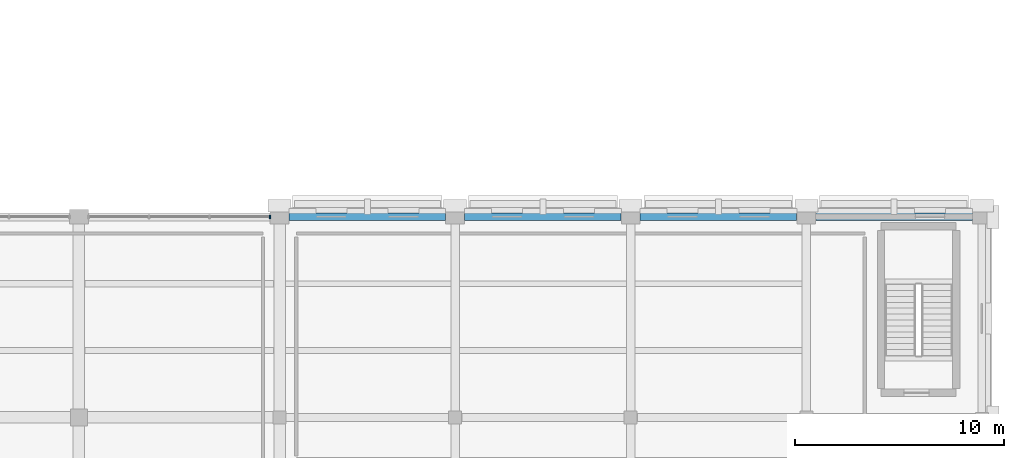
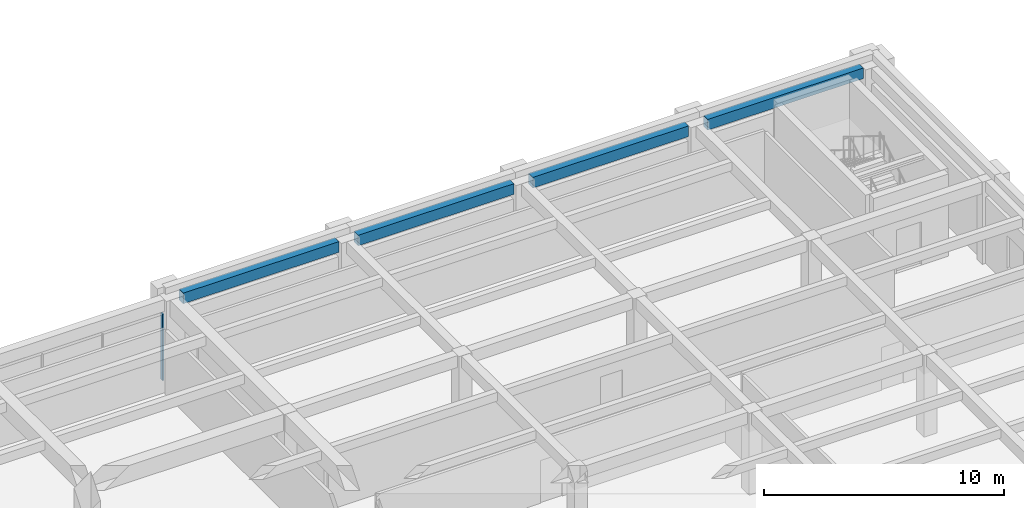
# One storey, part 23 of 49: 4 beams, 1 member, 1 element without a shape of its own.
"""IFC4 building model written with IfcOpenShell, lengths in metres."""

import ifcopenshell
import ifcopenshell.guid

model = None  # the IFC model being written
_history = None  # IfcOwnerHistory: only IFC2X3 demands one
_inside = {}  # id of a spatial element -> (the spatial element, [elements in it])
_under = {}  # id of a project, library or spatial element -> (it, [spatial elements below it])
_declared = {}  # id of a project -> (the project, [libraries it declares])
_typed = {}  # id of a type object -> (the type object, [elements of that type])
_made_of = {}  # id of a material, layer set ... -> (it, [elements and type objects made of it])


def new_model(schema):
    """Start an empty IFC model of exactly this schema.

    Asked for "IFC4X3", IfcOpenShell would pick the latest addendum, in which some entities
    have other attributes; the version numbers below select the first issue.
    IFC2X3 requires an IfcOwnerHistory on every rooted entity: one is made here for all.
    """
    global model, _history
    if schema == "IFC4X3":
        model = ifcopenshell.file(schema_version=(4, 3, 0, 0))
    else:
        model = ifcopenshell.file(schema=schema)
    _inside.clear()
    _under.clear()
    _declared.clear()
    _typed.clear()
    _made_of.clear()
    _history = None
    if model.schema == "IFC2X3":
        org = make("IfcOrganization", Name="unknown")
        user = make(
            "IfcPersonAndOrganization",
            ThePerson=make("IfcPerson", FamilyName="unknown"),
            TheOrganization=org,
        )
        app = make(
            "IfcApplication",
            ApplicationDeveloper=org,
            Version="unknown",
            ApplicationFullName="unknown",
            ApplicationIdentifier="unknown",
        )
        _history = make(
            "IfcOwnerHistory",
            OwningUser=user,
            OwningApplication=app,
            ChangeAction="ADDED",
            CreationDate=0,
        )
    return model


def make(cls, **values):
    """One entity of the class cls with the attributes given. An attribute that is None is left unset."""
    return model.create_entity(
        cls, **{name: value for name, value in values.items() if value is not None}
    )


def rooted(cls, **values):
    """An entity with a GlobalId (a new one), such as an element, a storey or a relation."""
    return make(cls, GlobalId=ifcopenshell.guid.new(), OwnerHistory=_history, **values)


def si_unit(unit_type, name, prefix=None):
    """IfcSIUnit, for example si_unit("LENGTHUNIT", "METRE", prefix="MILLI")."""
    return make("IfcSIUnit", UnitType=unit_type, Prefix=prefix, Name=name)


def assignment(units):
    """IfcUnitAssignment: the units of a project."""
    return None if units is None else make("IfcUnitAssignment", Units=units)


def point(xyz):
    """IfcCartesianPoint."""
    return None if xyz is None else make("IfcCartesianPoint", Coordinates=xyz)


def direction(xyz):
    """IfcDirection."""
    return None if xyz is None else make("IfcDirection", DirectionRatios=xyz)


def frame(location, z_axis=None, x_axis=None):
    """IfcAxis2Placement3D, a coordinate frame: its origin and axes. An axis left out is left unset."""
    return make(
        "IfcAxis2Placement3D",
        Location=point(location),
        Axis=direction(z_axis),
        RefDirection=direction(x_axis),
    )


def frame_2d(location, x_axis=None):
    """IfcAxis2Placement2D, a coordinate frame in the plane: its origin and x axis."""
    return make(
        "IfcAxis2Placement2D", Location=point(location), RefDirection=direction(x_axis)
    )


def origin():
    """The frame at (0, 0, 0) with its axes left unset."""
    return frame((0.0, 0.0, 0.0))


def origin_2d():
    """The frame at (0, 0) in the plane with its x axis left unset."""
    return frame_2d((0.0, 0.0))


def place(relative_to, where):
    """IfcLocalPlacement: puts the frame where relative to a parent placement (None: the world)."""
    return make(
        "IfcLocalPlacement", PlacementRelTo=relative_to, RelativePlacement=where
    )


def context(
    kind, dimensions, precision=None, world=None, true_north=None, identifier=None
):
    """IfcGeometricRepresentationContext, for example the 3D "Model" context."""
    return make(
        "IfcGeometricRepresentationContext",
        ContextIdentifier=identifier,
        ContextType=kind,
        CoordinateSpaceDimension=dimensions,
        Precision=precision,
        WorldCoordinateSystem=world,
        TrueNorth=true_north,
    )


def subcontext(parent, identifier, kind, view, scale=None):
    """IfcGeometricRepresentationSubContext, for example "Body" below "Model"."""
    return make(
        "IfcGeometricRepresentationSubContext",
        ContextIdentifier=identifier,
        ContextType=kind,
        ParentContext=parent,
        TargetScale=scale,
        TargetView=view,
    )


def project(units=None, contexts=None):
    """IfcProject with its units and contexts."""
    return rooted(
        "IfcProject",
        Name="project",
        RepresentationContexts=contexts,
        UnitsInContext=assignment(units),
    )


def spatial(cls, under=None, at=None, **own):
    """A site, building, storey or space (cls), placed at a placement, below another one or the project."""
    s = rooted(cls, ObjectPlacement=at, **own)
    if under is not None:
        _under.setdefault(under.id(), (under, []))[1].append(s)
    return s


def profile(cls, at=None, kind="AREA", **sizes):
    """A parametric profile (cls). Its sizes go by their IFC names, for example OverallWidth=200.0."""
    return make(cls, ProfileType=kind, Position=at, **sizes)


def rectangle(**sizes):
    """IfcRectangleProfileDef."""
    return profile("IfcRectangleProfileDef", **sizes)


def extrude(swept, where, along, depth):
    """IfcExtrudedAreaSolid: the profile swept, set in the frame where, extruded along a direction by depth."""
    return make(
        "IfcExtrudedAreaSolid",
        SweptArea=swept,
        Position=where,
        ExtrudedDirection=direction(along),
        Depth=depth,
    )


def shape(context_of_items, identifier, shape_type, items):
    """IfcShapeRepresentation: the items that make up one representation, for example the "Body"."""
    return make(
        "IfcShapeRepresentation",
        ContextOfItems=context_of_items,
        RepresentationIdentifier=identifier,
        RepresentationType=shape_type,
        Items=items,
    )


def material(Name=None, Category=None):
    """IfcMaterial."""
    return make("IfcMaterial", Name=Name, Category=Category)


def layer(
    of_material, thickness, ventilated=None, Name=None, Category=None, Priority=None
):
    """IfcMaterialLayer: one layer of a wall or slab, of a material (None: an air gap)."""
    return make(
        "IfcMaterialLayer",
        Material=of_material,
        LayerThickness=thickness,
        IsVentilated=ventilated,
        Name=Name,
        Category=Category,
        Priority=Priority,
    )


def layer_set(layers, Name=None):
    """IfcMaterialLayerSet."""
    return make("IfcMaterialLayerSet", MaterialLayers=layers, LayerSetName=Name)


def material_profile(
    of_material, cross_section, Name=None, Category=None, Priority=None
):
    """IfcMaterialProfile: a cross section and its material."""
    return make(
        "IfcMaterialProfile",
        Name=Name,
        Material=of_material,
        Profile=cross_section,
        Priority=Priority,
        Category=Category,
    )


def profile_set(profiles, Name=None, composite=None):
    """IfcMaterialProfileSet."""
    return make(
        "IfcMaterialProfileSet",
        Name=Name,
        MaterialProfiles=profiles,
        CompositeProfile=composite,
    )


def made_of(thing, what):
    """Note that an element or type object is made of a material, layer set ...; save() writes the relation."""
    if what is not None:
        _made_of.setdefault(what.id(), (what, []))[1].append(thing)
    return thing


def type_object(cls, material=None, **own):
    """A type object (cls), such as IfcWallType, which elements share."""
    return made_of(rooted(cls, **own), material)


def element(
    cls,
    number,
    at=None,
    inside=None,
    cuts=None,
    type_object=None,
    material=None,
    context=None,
    identifier="Body",
    shape_type=None,
    held_by="IfcProductDefinitionShape",
    body=None,
    shapes=None,
    **own,
):
    """One element of the class cls, such as IfcWall. Its Tag is "e" and its number.

    at: its placement. inside: the storey or other place that contains it. cuts: it is an
    opening in that element (IfcRelVoidsElement). A single representation is given by context,
    identifier, shape_type and body (its items); several are given by shapes. held_by: the class
    of the entity that holds the representations. save() writes the other relations.
    """
    e = rooted(cls, Tag="e%d" % number, ObjectPlacement=at, **own)
    if body is not None:
        shapes = [shape(context, identifier, shape_type, body)]
    if shapes is not None:
        e.Representation = make(held_by, Representations=shapes)
    if inside is not None:
        _inside.setdefault(inside.id(), (inside, []))[1].append(e)
    if cuts is not None:
        rooted(
            "IfcRelVoidsElement", RelatingBuildingElement=cuts, RelatedOpeningElement=e
        )
    if type_object is not None:
        _typed.setdefault(type_object.id(), (type_object, []))[1].append(e)
    return made_of(e, material)


def aggregate(whole, parts):
    """IfcRelAggregates: a whole, such as a stair, and the parts it consists of."""
    return rooted("IfcRelAggregates", RelatingObject=whole, RelatedObjects=parts)


def save(model, path):
    """Write the relations noted so far, then the file.

    IfcRelAggregates (storeys below a building ...), IfcRelContainedInSpatialStructure (elements
    in a storey), IfcRelDefinesByType, IfcRelAssociatesMaterial and IfcRelDeclares: one each for
    every whole, place, type object, material and project.
    """
    for whole, parts in _under.values():
        aggregate(whole, parts)
    for where, things in _inside.values():
        rooted(
            "IfcRelContainedInSpatialStructure",
            RelatedElements=things,
            RelatingStructure=where,
        )
    for kind, things in _typed.values():
        rooted("IfcRelDefinesByType", RelatedObjects=things, RelatingType=kind)
    for what, things in _made_of.values():
        rooted("IfcRelAssociatesMaterial", RelatedObjects=things, RelatingMaterial=what)
    for by, libraries in _declared.values():
        rooted("IfcRelDeclares", RelatingContext=by, RelatedDefinitions=libraries)
    model.write(path)


model = new_model("IFC4")

# Units and contexts
model_context = context("Model", 3, precision=1e-05, world=origin(), true_north=direction((0.0, 1.0)))
body_context = subcontext(model_context, "Body", "Model", "MODEL_VIEW")
ifc_project = project(units=[si_unit("LENGTHUNIT", "METRE"), si_unit("AREAUNIT", "SQUARE_METRE"), si_unit("VOLUMEUNIT", "CUBIC_METRE"), si_unit("PLANEANGLEUNIT", "RADIAN"), si_unit("MASSUNIT", "GRAM", prefix="KILO")], contexts=[model_context])

# Site, building, storey
site_placement = place(None, origin())
site = spatial("IfcSite", under=ifc_project, at=site_placement, CompositionType="ELEMENT")
building_placement = place(site_placement, origin())
building = spatial("IfcBuilding", under=site, at=building_placement, Name="Bempovik Park Faculty of Sciences", CompositionType="ELEMENT")
storey_placement = place(building_placement, frame((0.0, 0.0, 5.39990234375)))
storey = spatial("IfcBuildingStorey", under=building, at=storey_placement, Name="L01", CompositionType="ELEMENT", Elevation=5.39990234375)

# Beams
ifc_material_1 = material(Name="Concrete C35/45", Category="concrete")
ifc_material_profile_1 = material_profile(ifc_material_1, rectangle(XDim=0.35009765625, YDim=0.5400390625, at=origin_2d()), Name="RC 350x540")
ifc_profile_set_1 = profile_set([ifc_material_profile_1], Name="Concrete C35/45")
beam_type = type_object("IfcBeamType", Name="B-059 RC 350x540", PredefinedType="SPANDREL", material=ifc_profile_set_1)
beam_placement = place(storey_placement, frame((137.256103515625, 87.0, 3.91015625), z_axis=(1.0, 0.0, 0.0), x_axis=(0.0, 1.0, 0.0)))
element("IfcBeam", 1, at=beam_placement, inside=storey, type_object=beam_type, Name="L01 Beam X (136.8-145.2, y=87.0)", PredefinedType="SPANDREL", context=body_context, shape_type="SweptSolid", body=[
    extrude(rectangle(XDim=0.35009765625, YDim=0.5400390625, at=origin_2d()), origin(), (0.0, 0.0, 1.0), 7.48779296875),
])
for number, where, z_axis, x_axis, name in (
    (2, (145.656005859375, 87.0, 3.91015625), (1.0, 0.0, 0.0), (0.0, 1.0, 0.0), "L01 Beam X (145.2-153.6, y=87.0)"),
    (3, (154.055908203125, 87.0, 3.91015625), (1.0, 0.0, 0.0), (0.0, 1.0, 0.0), "L01 Beam X (153.6-162.0, y=87.0)"),
    (4, (162.4560546875, 87.0, 3.91015625), (1.0, 0.0, 0.0), (0.0, 1.0, 0.0), "L01 Beam X (162.0-170.4, y=87.0)"),
):
    element("IfcBeam", number, at=place(storey_placement, frame(where, z_axis=z_axis, x_axis=x_axis)), inside=storey, type_object=beam_type, Name=name, PredefinedType="SPANDREL", context=body_context, shape_type="SweptSolid", body=[
        extrude(rectangle(XDim=0.35009765625, YDim=0.5400390625, at=origin_2d()), origin(), (0.0, 0.0, 1.0), 7.488037109375),
    ])

# Curtain wall, member
ifc_material_2 = material(Name="Tempered laminated low-E glass", Category="glass")
ifc_layer = layer(ifc_material_2, 0.159912109375)
ifc_layer_set = layer_set([ifc_layer], Name="Tempered laminated low-E glass")
curtain_wall_type = type_object("IfcCurtainWallType", Name="CW-52 Curtain 6600x4100", PredefinedType="USERDEFINED", material=ifc_layer_set)
curtain_wall_placement = place(storey_placement, origin())
curtain_wall = element("IfcCurtainWall", 5, at=curtain_wall_placement, inside=storey, type_object=curtain_wall_type, Name="L01 Unitised Curtain Wall (87.0,127.2)", ObjectType="UNITISED CURTAIN WALL", PredefinedType="USERDEFINED")
ifc_material_3 = material(Name="Anodised architectural bronze", Category="aluminium")
ifc_material_profile_2 = material_profile(ifc_material_3, rectangle(XDim=0.06494140625, YDim=0.169921875, at=origin_2d()), Name="ALU-M 65x170")
ifc_profile_set_2 = profile_set([ifc_material_profile_2], Name="Anodised architectural bronze")
member_type = type_object("IfcMemberType", Name="ML-15 ALU-M 65x170", PredefinedType="MULLION", material=ifc_profile_set_2)
member_placement = place(storey_placement, frame((136.347900390625, 87.0, 0.0), z_axis=(0.0, 0.0, 1.0), x_axis=(1.0, 0.0, 0.0)))
member = element("IfcMember", 6, at=member_placement, type_object=member_type, Name="CW-BAY-L01-870-1272 Mullion 3", PredefinedType="MULLION", context=body_context, shape_type="SweptSolid", body=[
    extrude(rectangle(XDim=0.06494140625, YDim=0.169921875, at=origin_2d()), origin(), (0.0, 0.0, 1.0), 3.380126953125),
])
aggregate(curtain_wall, [member])

save(model, "model.ifc")
